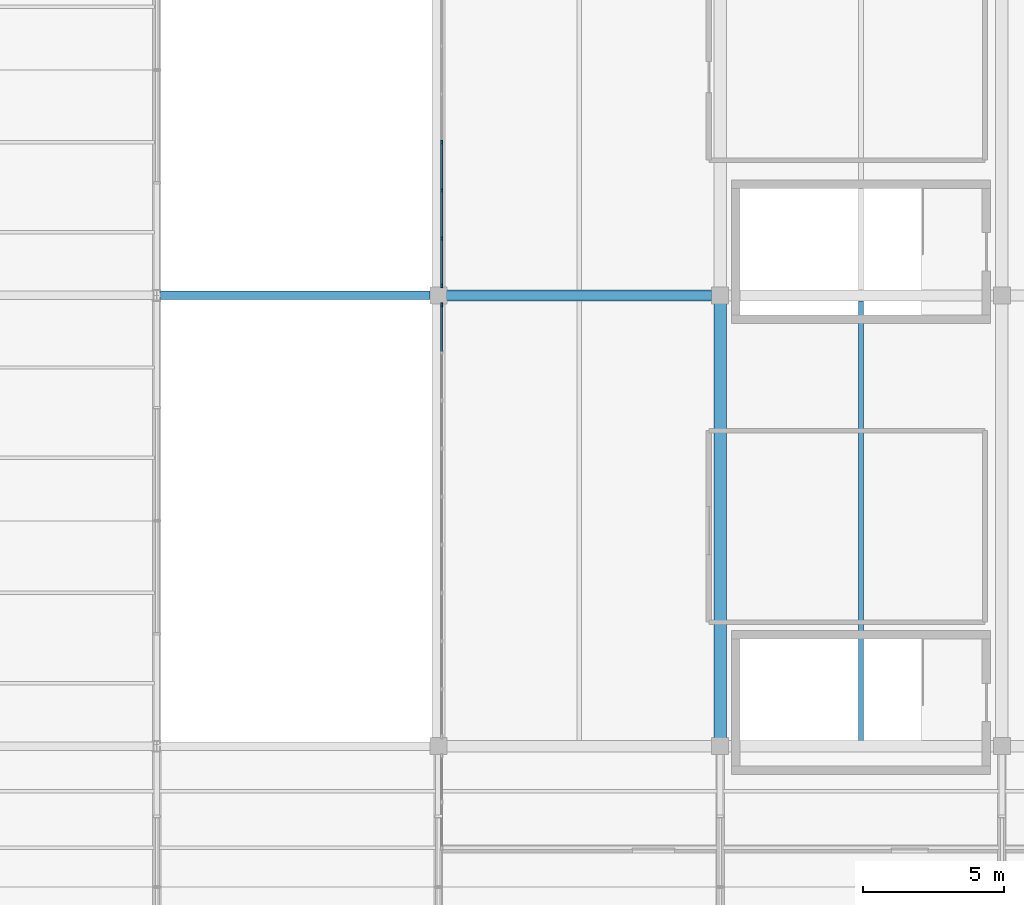
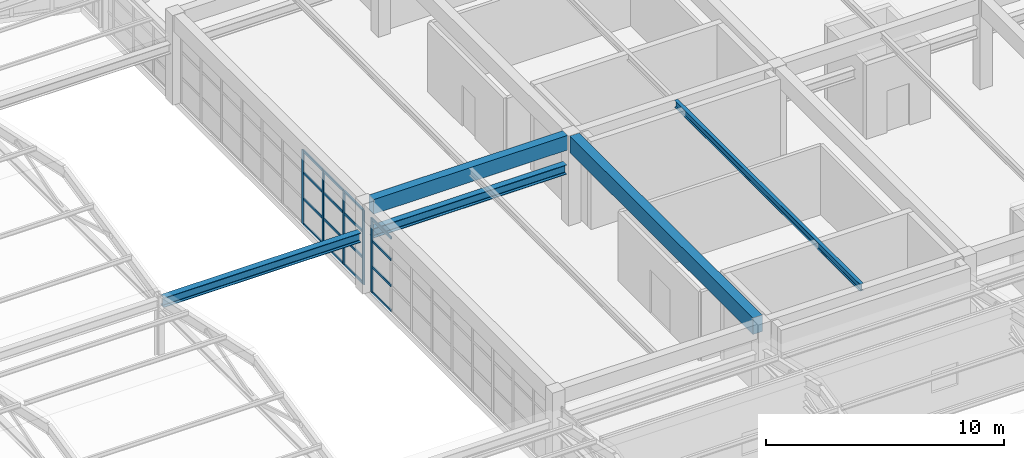
# One storey, part 17 of 109: 21 members, 5 beams, 2 elements without a shape of their own.
"""IFC4 building model written with IfcOpenShell, lengths in metres."""

from ifc_helpers import new_model, si_unit, direction, frame, origin, origin_2d, place, context, subcontext, project, spatial, rectangle, i_section, extrude, material, layer, layer_set, material_profile, profile_set, type_object, element, aggregate, save


model = new_model("IFC4")

# Units and contexts
model_context = context("Model", 3, precision=1e-05, world=origin(), true_north=direction((0.0, 1.0)))
body_context = subcontext(model_context, "Body", "Model", "MODEL_VIEW")
ifc_project = project(units=[si_unit("LENGTHUNIT", "METRE"), si_unit("AREAUNIT", "SQUARE_METRE"), si_unit("VOLUMEUNIT", "CUBIC_METRE"), si_unit("PLANEANGLEUNIT", "RADIAN"), si_unit("MASSUNIT", "GRAM", prefix="KILO")], contexts=[model_context])

# Site, building, storey
site_placement = place(None, origin())
site = spatial("IfcSite", under=ifc_project, at=site_placement, CompositionType="ELEMENT")
building_placement = place(site_placement, origin())
building = spatial("IfcBuilding", under=site, at=building_placement, Name="Kivolera Central Railway Station", CompositionType="ELEMENT")
storey_placement = place(building_placement, frame((0.0, 0.0, 9.60009765625)))
storey = spatial("IfcBuildingStorey", under=building, at=storey_placement, Name="L02", CompositionType="ELEMENT", Elevation=9.60009765625)

# Beams
ifc_material_1 = material(Name="Steel S355", Category="steel")
ifc_material_profile_1 = material_profile(ifc_material_1, i_section(OverallWidth=0.169921875, OverallDepth=0.360107421875, WebThickness=0.008056640625, FlangeThickness=0.0126953125, FilletRadius=0.01806640625, at=origin_2d()), Name="IPE 360")
ifc_profile_set_1 = profile_set([ifc_material_profile_1], Name="Steel S355")
beam_type_1 = type_object("IfcBeamType", Name="BM-JST-IPE360", PredefinedType="JOIST", material=ifc_profile_set_1)
beam_1_placement = place(storey_placement, frame((63.0, 16.19189453125, 4.407958984375), z_axis=(0.0, 1.0, 0.0), x_axis=(-1.0, 0.0, 0.0)))
element("IfcBeam", 1, at=beam_1_placement, inside=storey, type_object=beam_type_1, Name="L02 Over-Track Bridge Joist 6:B-C", PredefinedType="JOIST", context=body_context, shape_type="SweptSolid", body=[
    extrude(i_section(OverallWidth=0.169921875, OverallDepth=0.360107421875, WebThickness=0.008056640625, FlangeThickness=0.0126953125, FilletRadius=0.01806640625, at=origin_2d()), origin(), (0.0, 0.0, 1.0), 15.6162109375),
])
ifc_material_2 = material(Name="Concrete C40/50", Category="concrete")
ifc_material_profile_2 = material_profile(ifc_material_2, rectangle(XDim=0.39990234375, YDim=0.75, at=origin_2d()), Name="RC 400x750")
ifc_profile_set_2 = profile_set([ifc_material_profile_2], Name="Concrete C40/50")
beam_type_2 = type_object("IfcBeamType", Name="BM-RC-400x750", PredefinedType="BEAM", material=ifc_profile_set_2)
beam_2_placement = place(storey_placement, frame((48.287109375, 32.0, 4.224853515625), z_axis=(1.0, 0.0, 0.0), x_axis=(0.0, 1.0, 0.0)))
element("IfcBeam", 2, at=beam_2_placement, inside=storey, type_object=beam_type_2, Name="L02 Over-Track Bridge Transverse Girder C:5-6", PredefinedType="BEAM", context=body_context, shape_type="SweptSolid", body=[
    extrude(rectangle(XDim=0.39990234375, YDim=0.75, at=origin_2d()), origin(), (0.0, 0.0, 1.0), 9.42578125),
])
ifc_material_profile_3 = material_profile(ifc_material_2, rectangle(XDim=0.449951171875, YDim=0.85009765625, at=origin_2d()), Name="RC 450x850")
ifc_profile_set_3 = profile_set([ifc_material_profile_3], Name="Concrete C40/50")
beam_type_3 = type_object("IfcBeamType", Name="BM-RC-450x850", PredefinedType="BEAM", material=ifc_profile_set_3)
beam_3_placement = place(storey_placement, frame((58.0, 16.287109375, 4.1748046875), z_axis=(0.0, 1.0, 0.0), x_axis=(-1.0, 0.0, 0.0)))
element("IfcBeam", 3, at=beam_3_placement, inside=storey, type_object=beam_type_3, Name="L02 Over-Track Concourse Bridge Girder 6:B-C", PredefinedType="BEAM", context=body_context, shape_type="SweptSolid", body=[
    extrude(rectangle(XDim=0.449951171875, YDim=0.85009765625, at=origin_2d()), origin(), (0.0, 0.0, 1.0), 15.42578125),
])
ifc_material_profile_4 = material_profile(ifc_material_1, i_section(OverallWidth=0.300048828125, OverallDepth=0.489990234375, WebThickness=0.011962890625, FlangeThickness=0.02294921875, FilletRadius=0.027099609375, at=origin_2d()), Name="HEA 500")
ifc_profile_set_4 = profile_set([ifc_material_profile_4], Name="Steel S355")
beam_type_4 = type_object("IfcBeamType", Name="BM-SHD-HEA500", PredefinedType="BEAM", material=ifc_profile_set_4)
beam_4_placement = place(storey_placement, frame((38.136962890625, 32.0, 2.81982421875), z_axis=(1.0, 0.0, 0.0), x_axis=(0.0, 1.0, 0.0)))
element("IfcBeam", 4, at=beam_4_placement, inside=storey, type_object=beam_type_4, Name="Train Shed Eave Girder C:4-5", PredefinedType="BEAM", context=body_context, shape_type="SweptSolid", body=[
    extrude(i_section(OverallWidth=0.300048828125, OverallDepth=0.489990234375, WebThickness=0.011962890625, FlangeThickness=0.02294921875, FilletRadius=0.027099609375, at=origin_2d()), origin(), (0.0, 0.0, 1.0), 9.571044921875),
])
beam_5_placement = place(storey_placement, frame((48.2919921875, 32.0, 2.81982421875), z_axis=(1.0, 0.0, 0.0), x_axis=(0.0, 1.0, 0.0)))
element("IfcBeam", 5, at=beam_5_placement, inside=storey, type_object=beam_type_4, Name="Train Shed Eave Girder C:5-6", PredefinedType="BEAM", context=body_context, shape_type="SweptSolid", body=[
    extrude(i_section(OverallWidth=0.300048828125, OverallDepth=0.489990234375, WebThickness=0.011962890625, FlangeThickness=0.02294921875, FilletRadius=0.027099609375, at=origin_2d()), origin(), (0.0, 0.0, 1.0), 9.416015625),
])

# Curtain wall, member
ifc_material_3 = material(Name="Anodised aluminium", Category="aluminium")
ifc_layer = layer(ifc_material_3, 0.179931640625, Name="Anodised aluminium")
ifc_layer_set = layer_set([ifc_layer], Name="Anodised aluminium")
curtain_wall_type = type_object("IfcCurtainWallType", Name="CW-SYS-18", PredefinedType="NOTDEFINED", material=ifc_layer_set)
curtain_wall_1_placement = place(storey_placement, origin())
curtain_wall_1 = element("IfcCurtainWall", 6, at=curtain_wall_1_placement, inside=storey, type_object=curtain_wall_type, Name="L02 Curtain Wall CW-L02-BRGW-2", PredefinedType="NOTDEFINED")
ifc_material_profile_5 = material_profile(ifc_material_3, rectangle(XDim=0.06005859375, YDim=0.14990234375, at=origin_2d()), Name="ALU MULL 60x150")
ifc_profile_set_5 = profile_set([ifc_material_profile_5], Name="Anodised aluminium")
member_type_1 = type_object("IfcMemberType", Name="CWM-MUL-2", PredefinedType="MULLION", material=ifc_profile_set_5)
member_1_placement = place(storey_placement, frame((48.1201171875, 31.659912109375, -0.005126953125), z_axis=(0.0, 0.0, 1.0), x_axis=(-1.0, 0.0, 0.0)))
member_1 = element("IfcMember", 7, at=member_1_placement, type_object=member_type_1, Name="CW-18 mullion 10", PredefinedType="MULLION", context=body_context, shape_type="SweptSolid", body=[
    extrude(rectangle(XDim=0.06005859375, YDim=0.14990234375, at=origin_2d()), origin(), (0.0, 0.0, 1.0), 3.804931640625),
])

# Curtain wall, members
curtain_wall_2_placement = place(storey_placement, origin())
curtain_wall_2 = element("IfcCurtainWall", 8, at=curtain_wall_2_placement, inside=storey, type_object=curtain_wall_type, Name="L02 Curtain Wall CW-L02-BRGW-3", PredefinedType="NOTDEFINED")
member_2_placement = place(storey_placement, frame((48.1201171875, 32.340087890625, -0.005126953125), z_axis=(0.0, 0.0, 1.0), x_axis=(-1.0, 0.0, 0.0)))
member_2 = element("IfcMember", 9, at=member_2_placement, type_object=member_type_1, Name="CW-18 mullion 1", PredefinedType="MULLION", context=body_context, shape_type="SweptSolid", body=[
    extrude(rectangle(XDim=0.06005859375, YDim=0.14990234375, at=origin_2d()), origin(), (0.0, 0.0, 1.0), 3.804931640625),
])
member_3_placement = place(storey_placement, frame((48.1201171875, 34.018798828125, -0.005126953125), z_axis=(0.0, 0.0, 1.0), x_axis=(-1.0, 0.0, 0.0)))
member_3 = element("IfcMember", 10, at=member_3_placement, type_object=member_type_1, Name="CW-18 mullion 2", PredefinedType="MULLION", context=body_context, shape_type="SweptSolid", body=[
    extrude(rectangle(XDim=0.06005859375, YDim=0.14990234375, at=origin_2d()), origin(), (0.0, 0.0, 1.0), 3.804931640625),
])
member_4_placement = place(storey_placement, frame((48.1201171875, 35.727783203125, -0.005126953125), z_axis=(0.0, 0.0, 1.0), x_axis=(-1.0, 0.0, 0.0)))
member_4 = element("IfcMember", 11, at=member_4_placement, type_object=member_type_1, Name="CW-18 mullion 3", PredefinedType="MULLION", context=body_context, shape_type="SweptSolid", body=[
    extrude(rectangle(XDim=0.06005859375, YDim=0.14990234375, at=origin_2d()), origin(), (0.0, 0.0, 1.0), 3.804931640625),
])
member_5_placement = place(storey_placement, frame((48.1201171875, 37.436767578125, -0.005126953125), z_axis=(0.0, 0.0, 1.0), x_axis=(-1.0, 0.0, 0.0)))
member_5 = element("IfcMember", 12, at=member_5_placement, type_object=member_type_1, Name="CW-18 mullion 4", PredefinedType="MULLION", context=body_context, shape_type="SweptSolid", body=[
    extrude(rectangle(XDim=0.06005859375, YDim=0.14990234375, at=origin_2d()), origin(), (0.0, 0.0, 1.0), 3.804931640625),
])

# Member
ifc_material_profile_6 = material_profile(ifc_material_3, rectangle(XDim=0.06005859375, YDim=0.1201171875, at=origin_2d()), Name="ALU TRAN 60x120")
ifc_profile_set_6 = profile_set([ifc_material_profile_6], Name="Anodised aluminium")
member_type_2 = type_object("IfcMemberType", Name="CWM-TRN-2", PredefinedType="USERDEFINED", material=ifc_profile_set_6)
member_6_placement = place(storey_placement, frame((48.1201171875, 30.01123046875, 0.02978515625), z_axis=(0.0, 1.0, 0.0), x_axis=(-1.0, 0.0, 0.0)))
member_6 = element("IfcMember", 13, at=member_6_placement, type_object=member_type_2, Name="CW-18 transom 9.1", ObjectType="TRANSOM", PredefinedType="USERDEFINED", context=body_context, shape_type="SweptSolid", body=[
    extrude(rectangle(XDim=0.06005859375, YDim=0.1201171875, at=origin_2d()), origin(), (0.0, 0.0, 1.0), 1.61865234375),
])

member_7_placement = place(storey_placement, frame((48.1201171875, 30.01123046875, 1.329833984375), z_axis=(0.0, 1.0, 0.0), x_axis=(-1.0, 0.0, 0.0)))
member_7 = element("IfcMember", 14, at=member_7_placement, type_object=member_type_2, Name="CW-18 transom 9.2", ObjectType="TRANSOM", PredefinedType="USERDEFINED", context=body_context, shape_type="SweptSolid", body=[
    extrude(rectangle(XDim=0.06005859375, YDim=0.1201171875, at=origin_2d()), origin(), (0.0, 0.0, 1.0), 1.61865234375),
])

member_8_placement = place(storey_placement, frame((48.1201171875, 30.01123046875, 2.659912109375), z_axis=(0.0, 1.0, 0.0), x_axis=(-1.0, 0.0, 0.0)))
member_8 = element("IfcMember", 15, at=member_8_placement, type_object=member_type_2, Name="CW-18 transom 9.3", ObjectType="TRANSOM", PredefinedType="USERDEFINED", context=body_context, shape_type="SweptSolid", body=[
    extrude(rectangle(XDim=0.06005859375, YDim=0.1201171875, at=origin_2d()), origin(), (0.0, 0.0, 1.0), 1.61865234375),
])

member_9_placement = place(storey_placement, frame((48.1201171875, 30.01123046875, 3.77001953125), z_axis=(0.0, 1.0, 0.0), x_axis=(-1.0, 0.0, 0.0)))
member_9 = element("IfcMember", 16, at=member_9_placement, type_object=member_type_2, Name="CW-18 transom 9.4", ObjectType="TRANSOM", PredefinedType="USERDEFINED", context=body_context, shape_type="SweptSolid", body=[
    extrude(rectangle(XDim=0.06005859375, YDim=0.1201171875, at=origin_2d()), origin(), (0.0, 0.0, 1.0), 1.61865234375),
])

aggregate(curtain_wall_1, [member_1, member_6, member_7, member_8, member_9])

member_10_placement = place(storey_placement, frame((48.1201171875, 32.3701171875, 0.02978515625), z_axis=(0.0, 1.0, 0.0), x_axis=(-1.0, 0.0, 0.0)))
member_10 = element("IfcMember", 17, at=member_10_placement, type_object=member_type_2, Name="CW-18 transom 1.1", ObjectType="TRANSOM", PredefinedType="USERDEFINED", context=body_context, shape_type="SweptSolid", body=[
    extrude(rectangle(XDim=0.06005859375, YDim=0.1201171875, at=origin_2d()), origin(), (0.0, 0.0, 1.0), 1.61865234375),
])

member_11_placement = place(storey_placement, frame((48.1201171875, 32.3701171875, 1.329833984375), z_axis=(0.0, 1.0, 0.0), x_axis=(-1.0, 0.0, 0.0)))
member_11 = element("IfcMember", 18, at=member_11_placement, type_object=member_type_2, Name="CW-18 transom 1.2", ObjectType="TRANSOM", PredefinedType="USERDEFINED", context=body_context, shape_type="SweptSolid", body=[
    extrude(rectangle(XDim=0.06005859375, YDim=0.1201171875, at=origin_2d()), origin(), (0.0, 0.0, 1.0), 1.61865234375),
])

member_12_placement = place(storey_placement, frame((48.1201171875, 32.3701171875, 2.659912109375), z_axis=(0.0, 1.0, 0.0), x_axis=(-1.0, 0.0, 0.0)))
member_12 = element("IfcMember", 19, at=member_12_placement, type_object=member_type_2, Name="CW-18 transom 1.3", ObjectType="TRANSOM", PredefinedType="USERDEFINED", context=body_context, shape_type="SweptSolid", body=[
    extrude(rectangle(XDim=0.06005859375, YDim=0.1201171875, at=origin_2d()), origin(), (0.0, 0.0, 1.0), 1.61865234375),
])

member_13_placement = place(storey_placement, frame((48.1201171875, 32.3701171875, 3.77001953125), z_axis=(0.0, 1.0, 0.0), x_axis=(-1.0, 0.0, 0.0)))
member_13 = element("IfcMember", 20, at=member_13_placement, type_object=member_type_2, Name="CW-18 transom 1.4", ObjectType="TRANSOM", PredefinedType="USERDEFINED", context=body_context, shape_type="SweptSolid", body=[
    extrude(rectangle(XDim=0.06005859375, YDim=0.1201171875, at=origin_2d()), origin(), (0.0, 0.0, 1.0), 1.61865234375),
])

member_14_placement = place(storey_placement, frame((48.1201171875, 34.048828125, 0.02978515625), z_axis=(0.0, 1.0, 0.0), x_axis=(-1.0, 0.0, 0.0)))
member_14 = element("IfcMember", 21, at=member_14_placement, type_object=member_type_2, Name="CW-18 transom 2.1", ObjectType="TRANSOM", PredefinedType="USERDEFINED", context=body_context, shape_type="SweptSolid", body=[
    extrude(rectangle(XDim=0.06005859375, YDim=0.1201171875, at=origin_2d()), origin(), (0.0, 0.0, 1.0), 1.64892578125),
])

member_15_placement = place(storey_placement, frame((48.1201171875, 34.048828125, 1.329833984375), z_axis=(0.0, 1.0, 0.0), x_axis=(-1.0, 0.0, 0.0)))
member_15 = element("IfcMember", 22, at=member_15_placement, type_object=member_type_2, Name="CW-18 transom 2.2", ObjectType="TRANSOM", PredefinedType="USERDEFINED", context=body_context, shape_type="SweptSolid", body=[
    extrude(rectangle(XDim=0.06005859375, YDim=0.1201171875, at=origin_2d()), origin(), (0.0, 0.0, 1.0), 1.64892578125),
])

member_16_placement = place(storey_placement, frame((48.1201171875, 34.048828125, 2.659912109375), z_axis=(0.0, 1.0, 0.0), x_axis=(-1.0, 0.0, 0.0)))
member_16 = element("IfcMember", 23, at=member_16_placement, type_object=member_type_2, Name="CW-18 transom 2.3", ObjectType="TRANSOM", PredefinedType="USERDEFINED", context=body_context, shape_type="SweptSolid", body=[
    extrude(rectangle(XDim=0.06005859375, YDim=0.1201171875, at=origin_2d()), origin(), (0.0, 0.0, 1.0), 1.64892578125),
])

member_17_placement = place(storey_placement, frame((48.1201171875, 34.048828125, 3.77001953125), z_axis=(0.0, 1.0, 0.0), x_axis=(-1.0, 0.0, 0.0)))
member_17 = element("IfcMember", 24, at=member_17_placement, type_object=member_type_2, Name="CW-18 transom 2.4", ObjectType="TRANSOM", PredefinedType="USERDEFINED", context=body_context, shape_type="SweptSolid", body=[
    extrude(rectangle(XDim=0.06005859375, YDim=0.1201171875, at=origin_2d()), origin(), (0.0, 0.0, 1.0), 1.64892578125),
])

member_18_placement = place(storey_placement, frame((48.1201171875, 35.7578125, 0.02978515625), z_axis=(0.0, 1.0, 0.0), x_axis=(-1.0, 0.0, 0.0)))
member_18 = element("IfcMember", 25, at=member_18_placement, type_object=member_type_2, Name="CW-18 transom 3.1", ObjectType="TRANSOM", PredefinedType="USERDEFINED", context=body_context, shape_type="SweptSolid", body=[
    extrude(rectangle(XDim=0.06005859375, YDim=0.1201171875, at=origin_2d()), origin(), (0.0, 0.0, 1.0), 1.64892578125),
])

member_19_placement = place(storey_placement, frame((48.1201171875, 35.7578125, 1.329833984375), z_axis=(0.0, 1.0, 0.0), x_axis=(-1.0, 0.0, 0.0)))
member_19 = element("IfcMember", 26, at=member_19_placement, type_object=member_type_2, Name="CW-18 transom 3.2", ObjectType="TRANSOM", PredefinedType="USERDEFINED", context=body_context, shape_type="SweptSolid", body=[
    extrude(rectangle(XDim=0.06005859375, YDim=0.1201171875, at=origin_2d()), origin(), (0.0, 0.0, 1.0), 1.64892578125),
])

member_20_placement = place(storey_placement, frame((48.1201171875, 35.7578125, 2.659912109375), z_axis=(0.0, 1.0, 0.0), x_axis=(-1.0, 0.0, 0.0)))
member_20 = element("IfcMember", 27, at=member_20_placement, type_object=member_type_2, Name="CW-18 transom 3.3", ObjectType="TRANSOM", PredefinedType="USERDEFINED", context=body_context, shape_type="SweptSolid", body=[
    extrude(rectangle(XDim=0.06005859375, YDim=0.1201171875, at=origin_2d()), origin(), (0.0, 0.0, 1.0), 1.64892578125),
])

member_21_placement = place(storey_placement, frame((48.1201171875, 35.7578125, 3.77001953125), z_axis=(0.0, 1.0, 0.0), x_axis=(-1.0, 0.0, 0.0)))
member_21 = element("IfcMember", 28, at=member_21_placement, type_object=member_type_2, Name="CW-18 transom 3.4", ObjectType="TRANSOM", PredefinedType="USERDEFINED", context=body_context, shape_type="SweptSolid", body=[
    extrude(rectangle(XDim=0.06005859375, YDim=0.1201171875, at=origin_2d()), origin(), (0.0, 0.0, 1.0), 1.64892578125),
])

aggregate(curtain_wall_2, [member_2, member_3, member_4, member_5, member_10, member_11, member_12, member_13, member_14, member_15, member_16, member_17, member_18, member_19, member_20, member_21])

save(model, "model.ifc")
